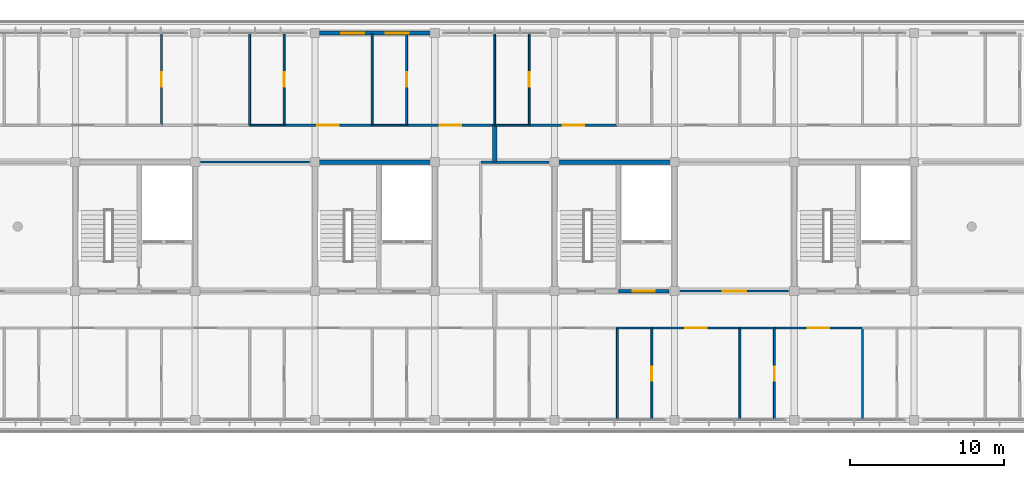
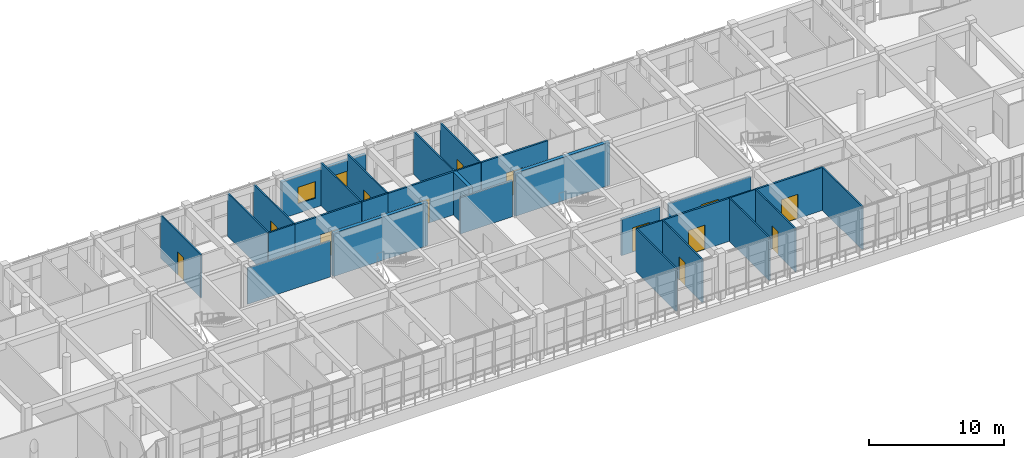
# One storey, part 49 of 56: 30 walls, 13 doors, 2 windows, 15 openings.
"""IFC4 building model written with IfcOpenShell, lengths in metres."""

from ifc_helpers import new_model, si_unit, direction, frame, frame_2d, origin, place, context, subcontext, project, spatial, rectangle, extrude, material, layer, layer_set, type_object, element, fill, save


model = new_model("IFC4")

# Units and contexts
model_context = context("Model", 3, precision=1e-05, world=origin(), true_north=direction((0.0, 1.0)))
body_context = subcontext(model_context, "Body", "Model", "MODEL_VIEW")
ifc_project = project(units=[si_unit("LENGTHUNIT", "METRE"), si_unit("AREAUNIT", "SQUARE_METRE"), si_unit("VOLUMEUNIT", "CUBIC_METRE"), si_unit("PLANEANGLEUNIT", "RADIAN"), si_unit("MASSUNIT", "GRAM", prefix="KILO")], contexts=[model_context])

# Site, building, storey
site_placement = place(None, origin())
site = spatial("IfcSite", under=ifc_project, at=site_placement, CompositionType="ELEMENT")
building_placement = place(site_placement, origin())
building = spatial("IfcBuilding", under=site, at=building_placement, Name="Zizhar Promenade General Hospital", CompositionType="ELEMENT")
storey_placement = place(building_placement, frame((0.0, 0.0, 26.39990234375)))
storey = spatial("IfcBuildingStorey", under=building, at=storey_placement, Name="L06", CompositionType="ELEMENT", Elevation=26.39990234375)

# Wall, openings, windows
ifc_material_1 = material(Name="Precast concrete C40/50", Category="concrete")
ifc_layer_1 = layer(ifc_material_1, 0.260009765625)
ifc_layer_set_1 = layer_set([ifc_layer_1], Name="Precast concrete C40/50")
wall_type_1 = type_object("IfcWallType", Name="EW-PC-260", PredefinedType="STANDARD", material=ifc_layer_set_1)
wall_1_placement = place(storey_placement, frame((62.68994140625, 25.199951171875, 0.0), z_axis=(0.0, 0.0, 1.0), x_axis=(1.0, 0.0, 0.0)))
wall_1 = element("IfcWall", 1, at=wall_1_placement, inside=storey, type_object=wall_type_1, Name="Ward Precast Ribbon Pier L06-8-4", PredefinedType="STANDARD", context=body_context, shape_type="SweptSolid", body=[
    extrude(rectangle(XDim=7.219970703125, YDim=0.260009765625, at=frame_2d((3.60986328125, 0.0))), origin(), (0.0, 0.0, 1.0), 3.30517578125),
])
opening_1_placement = place(wall_1_placement, frame((1.40673828125, 0.0, 0.85009765625)))
opening_1 = element("IfcOpeningElement", 2, at=opening_1_placement, cuts=wall_1, Name="Opening W-04", PredefinedType="OPENING", context=body_context, shape_type="SweptSolid", body=[
    extrude(rectangle(XDim=1.5, YDim=1.5, at=frame_2d((0.75, 0.75))), frame((0.0, 0.14013671875, 0.0), z_axis=(0.0, -1.0, 0.0), x_axis=(1.0, 0.0, 0.0)), (0.0, 0.0, 1.0), 0.280029296875),
])
opening_2_placement = place(wall_1_placement, frame((4.313232421875, 0.0, 0.85009765625)))
opening_2 = element("IfcOpeningElement", 3, at=opening_2_placement, cuts=wall_1, Name="Opening W-04", PredefinedType="OPENING", context=body_context, shape_type="SweptSolid", body=[
    extrude(rectangle(XDim=1.5, YDim=1.5, at=frame_2d((0.75, 0.75))), frame((0.0, 0.14013671875, 0.0), z_axis=(0.0, -1.0, 0.0), x_axis=(1.0, 0.0, 0.0)), (0.0, 0.0, 1.0), 0.280029296875),
])
ifc_material_2 = material(Name="Anodised aluminium 6063-T6 and low-E glass", Category="aluminium")
window_type = type_object("IfcWindowType", Name="WIN-WARD-150x150", PartitioningType="SINGLE_PANEL", PredefinedType="WINDOW", material=ifc_material_2)
window_1_placement = place(opening_1_placement, origin())
window_1 = element("IfcWindow", 4, at=window_1_placement, inside=storey, type_object=window_type, Name="Ward Precast Ribbon Pier L06-8-4 Window 1", OverallHeight=1.5, OverallWidth=1.5, PartitioningType="SINGLE_PANEL", PredefinedType="WINDOW", context=body_context, shape_type="SweptSolid", body=[
    extrude(rectangle(XDim=1.5, YDim=1.5, at=frame_2d((0.75, 0.75))), frame((0.0, 0.030029296875, 0.0), z_axis=(0.0, -1.0, 0.0), x_axis=(1.0, 0.0, 0.0)), (0.0, 0.0, 1.0), 0.06005859375),
])
fill(opening_1, window_1)
window_2_placement = place(opening_2_placement, origin())
window_2 = element("IfcWindow", 5, at=window_2_placement, inside=storey, type_object=window_type, Name="Ward Precast Ribbon Pier L06-8-4 Window 2", OverallHeight=1.5, OverallWidth=1.5, PartitioningType="SINGLE_PANEL", PredefinedType="WINDOW", context=body_context, shape_type="SweptSolid", body=[
    extrude(rectangle(XDim=1.5, YDim=1.5, at=frame_2d((0.75, 0.75))), frame((0.0, 0.030029296875, 0.0), z_axis=(0.0, -1.0, 0.0), x_axis=(1.0, 0.0, 0.0)), (0.0, 0.0, 1.0), 0.06005859375),
])
fill(opening_2, window_2)

# Wall, opening, door
ifc_material_3 = material(Name="Clinical consultation partition")
ifc_layer_2 = layer(ifc_material_3, 0.14501953125)
ifc_layer_set_2 = layer_set([ifc_layer_2], Name="Clinical consultation partition")
wall_type_2 = type_object("IfcWallType", Name="IW-CLN-145", PredefinedType="PARTITIONING", material=ifc_layer_set_2)
wall_2_placement = place(storey_placement, frame((86.159912109375, 8.39990234375, 0.0), z_axis=(0.0, 0.0, 1.0), x_axis=(1.0, 0.0, 0.0)))
wall_2 = element("IfcWall", 6, at=wall_2_placement, inside=storey, type_object=wall_type_2, Name="Accessible Visitor Lounge and Clean Utility L06 S Partition", PredefinedType="PARTITIONING", context=body_context, shape_type="SweptSolid", body=[
    extrude(rectangle(XDim=7.080078125, YDim=0.14501953125, at=frame_2d((3.5400390625, 0.0))), origin(), (0.0, 0.0, 1.0), 3.27001953125),
])
opening_3_placement = place(wall_2_placement, frame((2.780029296875, 0.0, 0.0)))
opening_3 = element("IfcOpeningElement", 7, at=opening_3_placement, cuts=wall_2, Name="Opening D-28", PredefinedType="OPENING", context=body_context, shape_type="SweptSolid", body=[
    extrude(rectangle(XDim=1.52001953125, YDim=2.199951171875, at=frame_2d((0.760009765625, 1.10009765625))), frame((0.0, 0.08251953125, 0.0), z_axis=(0.0, -1.0, 0.0), x_axis=(1.0, 0.0, 0.0)), (0.0, 0.0, 1.0), 0.1650390625),
])
ifc_material_4 = material(Name="Fire-rated timber glazed lounge pair", Category="wood")
door_type_1 = type_object("IfcDoorType", Name="DR-LOUNGE-152x220", OperationType="DOUBLE_DOOR_SINGLE_SWING", PredefinedType="DOOR", material=ifc_material_4)
door_1_placement = place(opening_3_placement, origin())
door_1 = element("IfcDoor", 8, at=door_1_placement, inside=storey, type_object=door_type_1, Name="Accessible Visitor Lounge and Clean Utility L06 Door", OperationType="DOUBLE_DOOR_SINGLE_SWING", OverallHeight=2.199951171875, OverallWidth=1.52001953125, PredefinedType="DOOR", context=body_context, shape_type="SweptSolid", body=[
    extrude(rectangle(XDim=1.52001953125, YDim=2.199951171875, at=frame_2d((0.760009765625, 1.10009765625))), frame((0.0, 0.02490234375, 0.0), z_axis=(0.0, -1.0, 0.0), x_axis=(1.0, 0.0, 0.0)), (0.0, 0.0, 1.0), 0.050048828125),
])
fill(opening_3, door_1)

# Wall
ifc_material_5 = material(Name="Concrete C35/45", Category="concrete")
ifc_layer_3 = layer(ifc_material_5, 0.284912109375)
ifc_layer_set_3 = layer_set([ifc_layer_3], Name="Concrete C35/45")
wall_type_3 = type_object("IfcWallType", Name="IW-COMP-285", PredefinedType="STANDARD", material=ifc_layer_set_3)
wall_3_placement = place(storey_placement, frame((74.10009765625, 16.800048828125, 0.0), z_axis=(0.0, 0.0, 1.0), x_axis=(0.0, 1.0, 0.0)))
element("IfcWall", 9, at=wall_3_placement, inside=storey, type_object=wall_type_3, Name="Horizontal Fire Compartment Wall North (L06)", PredefinedType="STANDARD", context=body_context, shape_type="SweptSolid", body=[
    extrude(rectangle(XDim=2.39990234375, YDim=0.284912109375, at=frame_2d((1.199951171875, 0.0))), origin(), (0.0, 0.0, 1.0), 3.900146484375),
])

# Wall, opening, door
ifc_material_6 = material(Name="Concrete C35/45", Category="concrete")
ifc_layer_4 = layer(ifc_material_6, 0.215087890625)
ifc_layer_set_4 = layer_set([ifc_layer_4], Name="Concrete C35/45")
wall_type_4 = type_object("IfcWallType", Name="IW-LOBBY-215", PredefinedType="STANDARD", material=ifc_layer_set_4)
wall_4_placement = place(storey_placement, frame((82.14990234375, 8.39990234375, 0.0), z_axis=(0.0, 0.0, 1.0), x_axis=(1.0, 0.0, 0.0)))
wall_4 = element("IfcWall", 10, at=wall_4_placement, inside=storey, type_object=wall_type_4, Name="Core C4 Lift Lobby South Fire Wall (L06)", PredefinedType="STANDARD", context=body_context, shape_type="SweptSolid", body=[
    extrude(rectangle(XDim=3.2900390625, YDim=0.215087890625, at=frame_2d((1.64501953125, 0.0))), origin(), (0.0, 0.0, 1.0), 3.27001953125),
])
opening_4_placement = place(wall_4_placement, frame((0.925048828125, 0.0, 0.0)))
opening_4 = element("IfcOpeningElement", 11, at=opening_4_placement, cuts=wall_4, Name="Opening D-23", PredefinedType="OPENING", context=body_context, shape_type="SweptSolid", body=[
    extrude(rectangle(XDim=1.43994140625, YDim=2.199951171875, at=frame_2d((0.719970703125, 1.10009765625))), frame((0.0, 0.11767578125, 0.0), z_axis=(0.0, -1.0, 0.0), x_axis=(1.0, 0.0, 0.0)), (0.0, 0.0, 1.0), 0.235107421875),
])
ifc_material_7 = material(Name="Fire-rated timber lift lobby pair", Category="wood")
door_type_2 = type_object("IfcDoorType", Name="DR-LOBBY-PR-144x220", OperationType="DOUBLE_DOOR_SINGLE_SWING", PredefinedType="DOOR", material=ifc_material_7)
door_2_placement = place(opening_4_placement, origin())
door_2 = element("IfcDoor", 12, at=door_2_placement, inside=storey, type_object=door_type_2, Name="Core C4 Protected Lift Lobby Door (L06)", OperationType="DOUBLE_DOOR_SINGLE_SWING", OverallHeight=2.199951171875, OverallWidth=1.43994140625, PredefinedType="DOOR", context=body_context, shape_type="SweptSolid", body=[
    extrude(rectangle(XDim=1.43994140625, YDim=2.199951171875, at=frame_2d((0.719970703125, 1.10009765625))), frame((0.0, 0.02490234375, 0.0), z_axis=(0.0, -1.0, 0.0), x_axis=(1.0, 0.0, 0.0)), (0.0, 0.0, 1.0), 0.050048828125),
])
fill(opening_4, door_2)

# Wall
ifc_material_8 = material(Name="Clean utility gypsum partition")
ifc_layer_5 = layer(ifc_material_8, 0.114990234375)
ifc_layer_set_5 = layer_set([ifc_layer_5], Name="Clean utility gypsum partition")
wall_type_5 = type_object("IfcWallType", Name="IW-STR-115", PredefinedType="PARTITIONING", material=ifc_layer_set_5)
wall_5_placement = place(storey_placement, frame((54.9599609375, 16.800048828125, 0.0), z_axis=(0.0, 0.0, 1.0), x_axis=(1.0, 0.0, 0.0)))
element("IfcWall", 13, at=wall_5_placement, inside=storey, type_object=wall_type_5, Name="Nurse Station and Medication Room L06 N Partition", PredefinedType="PARTITIONING", context=body_context, shape_type="SweptSolid", body=[
    extrude(rectangle(XDim=7.080078125, YDim=0.114990234375, at=frame_2d((3.5400390625, 0.0))), origin(), (0.0, 0.0, 1.0), 3.27001953125),
])

# Wall, opening, door
ifc_material_9 = material(Name="Acoustic patient bedroom partition")
ifc_layer_6 = layer(ifc_material_9, 0.155029296875)
ifc_layer_set_6 = layer_set([ifc_layer_6], Name="Acoustic patient bedroom partition")
wall_type_6 = type_object("IfcWallType", Name="IW-WARD-155", PredefinedType="PARTITIONING", material=ifc_layer_set_6)
wall_6_placement = place(storey_placement, frame((60.39990234375, 19.199951171875, 0.0), z_axis=(0.0, 0.0, 1.0), x_axis=(1.0, 0.0, 0.0)))
wall_6 = element("IfcWall", 14, at=wall_6_placement, inside=storey, type_object=wall_type_6, Name="Orthopaedic Inpatient Ward L06-N04 S Partition", PredefinedType="PARTITIONING", context=body_context, shape_type="SweptSolid", body=[
    extrude(rectangle(XDim=5.710205078125, YDim=0.155029296875, at=frame_2d((2.85498046875, 0.0))), origin(), (0.0, 0.0, 1.0), 3.900146484375),
])
opening_5_placement = place(wall_6_placement, frame((2.155029296875, 0.0, 0.0)))
opening_5 = element("IfcOpeningElement", 15, at=opening_5_placement, cuts=wall_6, Name="Opening D-06", PredefinedType="OPENING", context=body_context, shape_type="SweptSolid", body=[
    extrude(rectangle(XDim=1.39990234375, YDim=2.199951171875, at=frame_2d((0.699951171875, 1.10009765625))), frame((0.0, 0.08740234375, 0.0), z_axis=(0.0, -1.0, 0.0), x_axis=(1.0, 0.0, 0.0)), (0.0, 0.0, 1.0), 0.175048828125),
])
ifc_material_10 = material(Name="Fire-rated timber hospital bed leaf", Category="wood")
door_type_3 = type_object("IfcDoorType", Name="DR-BED-WARD-140x220", OperationType="NOTDEFINED", PredefinedType="DOOR", material=ifc_material_10)
door_3_placement = place(opening_5_placement, origin())
door_3 = element("IfcDoor", 16, at=door_3_placement, inside=storey, type_object=door_type_3, Name="Orthopaedic Inpatient Ward L06-N04 Door", OperationType="SINGLE_SWING_LEFT", OverallHeight=2.199951171875, OverallWidth=1.39990234375, PredefinedType="DOOR", context=body_context, shape_type="SweptSolid", body=[
    extrude(rectangle(XDim=1.39990234375, YDim=2.199951171875, at=frame_2d((0.699951171875, 1.10009765625))), frame((0.0, 0.02490234375, 0.0), z_axis=(0.0, -1.0, 0.0), x_axis=(1.0, 0.0, 0.0)), (0.0, 0.0, 1.0), 0.050048828125),
])
fill(opening_5, door_3)

wall_7_placement = place(storey_placement, frame((68.3798828125, 19.199951171875, 0.0), z_axis=(0.0, 0.0, 1.0), x_axis=(1.0, 0.0, 0.0)))
wall_7 = element("IfcWall", 17, at=wall_7_placement, inside=storey, type_object=wall_type_6, Name="Surgical Recovery Inpatient Ward L06-N05 S Partition", PredefinedType="PARTITIONING", context=body_context, shape_type="SweptSolid", body=[
    extrude(rectangle(XDim=5.710205078125, YDim=0.155029296875, at=frame_2d((2.85498046875, 0.0))), origin(), (0.0, 0.0, 1.0), 3.900146484375),
])
opening_6_placement = place(wall_7_placement, frame((2.155029296875, 0.0, 0.0)))
opening_6 = element("IfcOpeningElement", 18, at=opening_6_placement, cuts=wall_7, Name="Opening D-06", PredefinedType="OPENING", context=body_context, shape_type="SweptSolid", body=[
    extrude(rectangle(XDim=1.39990234375, YDim=2.199951171875, at=frame_2d((0.699951171875, 1.10009765625))), frame((0.0, 0.08740234375, 0.0), z_axis=(0.0, -1.0, 0.0), x_axis=(1.0, 0.0, 0.0)), (0.0, 0.0, 1.0), 0.175048828125),
])
door_4_placement = place(opening_6_placement, origin())
door_4 = element("IfcDoor", 19, at=door_4_placement, inside=storey, type_object=door_type_3, Name="Surgical Recovery Inpatient Ward L06-N05 Door", OperationType="SINGLE_SWING_LEFT", OverallHeight=2.199951171875, OverallWidth=1.39990234375, PredefinedType="DOOR", context=body_context, shape_type="SweptSolid", body=[
    extrude(rectangle(XDim=1.39990234375, YDim=2.199951171875, at=frame_2d((0.699951171875, 1.10009765625))), frame((0.0, 0.02490234375, 0.0), z_axis=(0.0, -1.0, 0.0), x_axis=(1.0, 0.0, 0.0)), (0.0, 0.0, 1.0), 0.050048828125),
])
fill(opening_6, door_4)

wall_8_placement = place(storey_placement, frame((76.360107421875, 19.199951171875, 0.0), z_axis=(0.0, 0.0, 1.0), x_axis=(1.0, 0.0, 0.0)))
wall_8 = element("IfcWall", 20, at=wall_8_placement, inside=storey, type_object=wall_type_6, Name="Orthopaedic Inpatient Ward L06-N06 S Partition", PredefinedType="PARTITIONING", context=body_context, shape_type="SweptSolid", body=[
    extrude(rectangle(XDim=5.7099609375, YDim=0.155029296875, at=frame_2d((2.85498046875, 0.0))), origin(), (0.0, 0.0, 1.0), 3.900146484375),
])
opening_7_placement = place(wall_8_placement, frame((2.155029296875, 0.0, 0.0)))
opening_7 = element("IfcOpeningElement", 21, at=opening_7_placement, cuts=wall_8, Name="Opening D-06", PredefinedType="OPENING", context=body_context, shape_type="SweptSolid", body=[
    extrude(rectangle(XDim=1.39990234375, YDim=2.199951171875, at=frame_2d((0.699951171875, 1.10009765625))), frame((0.0, 0.08740234375, 0.0), z_axis=(0.0, -1.0, 0.0), x_axis=(1.0, 0.0, 0.0)), (0.0, 0.0, 1.0), 0.175048828125),
])
door_5_placement = place(opening_7_placement, origin())
door_5 = element("IfcDoor", 22, at=door_5_placement, inside=storey, type_object=door_type_3, Name="Orthopaedic Inpatient Ward L06-N06 Door", OperationType="SINGLE_SWING_LEFT", OverallHeight=2.199951171875, OverallWidth=1.39990234375, PredefinedType="DOOR", context=body_context, shape_type="SweptSolid", body=[
    extrude(rectangle(XDim=1.39990234375, YDim=2.199951171875, at=frame_2d((0.699951171875, 1.10009765625))), frame((0.0, 0.02490234375, 0.0), z_axis=(0.0, -1.0, 0.0), x_axis=(1.0, 0.0, 0.0)), (0.0, 0.0, 1.0), 0.050048828125),
])
fill(opening_7, door_5)

wall_9_placement = place(storey_placement, frame((84.340087890625, 6.0, 0.0), z_axis=(0.0, 0.0, 1.0), x_axis=(1.0, 0.0, 0.0)))
wall_9 = element("IfcWall", 23, at=wall_9_placement, inside=storey, type_object=wall_type_6, Name="Surgical Recovery Inpatient Ward L06-S07 N Partition", PredefinedType="PARTITIONING", context=body_context, shape_type="SweptSolid", body=[
    extrude(rectangle(XDim=5.7099609375, YDim=0.155029296875, at=frame_2d((2.85498046875, 0.0))), origin(), (0.0, 0.0, 1.0), 3.900146484375),
])
opening_8_placement = place(wall_9_placement, frame((2.155029296875, 0.0, 0.0)))
opening_8 = element("IfcOpeningElement", 24, at=opening_8_placement, cuts=wall_9, Name="Opening D-06", PredefinedType="OPENING", context=body_context, shape_type="SweptSolid", body=[
    extrude(rectangle(XDim=1.39990234375, YDim=2.199951171875, at=frame_2d((0.699951171875, 1.10009765625))), frame((0.0, 0.08740234375, 0.0), z_axis=(0.0, -1.0, 0.0), x_axis=(1.0, 0.0, 0.0)), (0.0, 0.0, 1.0), 0.175048828125),
])
door_6_placement = place(opening_8_placement, origin())
door_6 = element("IfcDoor", 25, at=door_6_placement, inside=storey, type_object=door_type_3, Name="Surgical Recovery Inpatient Ward L06-S07 Door", OperationType="SINGLE_SWING_RIGHT", OverallHeight=2.199951171875, OverallWidth=1.39990234375, PredefinedType="DOOR", context=body_context, shape_type="SweptSolid", body=[
    extrude(rectangle(XDim=1.39990234375, YDim=2.199951171875, at=frame_2d((0.699951171875, 1.10009765625))), frame((0.0, 0.02490234375, 0.0), z_axis=(0.0, -1.0, 0.0), x_axis=(1.0, 0.0, 0.0)), (0.0, 0.0, 1.0), 0.050048828125),
])
fill(opening_8, door_6)

wall_10_placement = place(storey_placement, frame((92.320068359375, 6.0, 0.0), z_axis=(0.0, 0.0, 1.0), x_axis=(1.0, 0.0, 0.0)))
wall_10 = element("IfcWall", 26, at=wall_10_placement, inside=storey, type_object=wall_type_6, Name="Orthopaedic Inpatient Ward L06-S08 N Partition", PredefinedType="PARTITIONING", context=body_context, shape_type="SweptSolid", body=[
    extrude(rectangle(XDim=5.7099609375, YDim=0.155029296875, at=frame_2d((2.85498046875, 0.0))), origin(), (0.0, 0.0, 1.0), 3.900146484375),
])
opening_9_placement = place(wall_10_placement, frame((2.155029296875, 0.0, 0.0)))
opening_9 = element("IfcOpeningElement", 27, at=opening_9_placement, cuts=wall_10, Name="Opening D-06", PredefinedType="OPENING", context=body_context, shape_type="SweptSolid", body=[
    extrude(rectangle(XDim=1.39990234375, YDim=2.199951171875, at=frame_2d((0.699951171875, 1.10009765625))), frame((0.0, 0.08740234375, 0.0), z_axis=(0.0, -1.0, 0.0), x_axis=(1.0, 0.0, 0.0)), (0.0, 0.0, 1.0), 0.175048828125),
])
door_7_placement = place(opening_9_placement, origin())
door_7 = element("IfcDoor", 28, at=door_7_placement, inside=storey, type_object=door_type_3, Name="Orthopaedic Inpatient Ward L06-S08 Door", OperationType="SINGLE_SWING_RIGHT", OverallHeight=2.199951171875, OverallWidth=1.39990234375, PredefinedType="DOOR", context=body_context, shape_type="SweptSolid", body=[
    extrude(rectangle(XDim=1.39990234375, YDim=2.199951171875, at=frame_2d((0.699951171875, 1.10009765625))), frame((0.0, 0.02490234375, 0.0), z_axis=(0.0, -1.0, 0.0), x_axis=(1.0, 0.0, 0.0)), (0.0, 0.0, 1.0), 0.050048828125),
])
fill(opening_9, door_7)

# Wall
wall_11_placement = place(storey_placement, frame((73.199951171875, 16.800048828125, 0.0), z_axis=(0.0, 0.0, 1.0), x_axis=(1.0, 0.0, 0.0)))
element("IfcWall", 29, at=wall_11_placement, inside=storey, type_object=wall_type_6, Name="Ward Rehabilitation Physiotherapy Gym N Partition", PredefinedType="PARTITIONING", context=body_context, shape_type="SweptSolid", body=[
    extrude(rectangle(XDim=4.43994140625, YDim=0.155029296875, at=frame_2d((2.219970703125, 0.0))), origin(), (0.0, 0.0, 1.0), 3.27001953125),
])

# Wall, opening, door
ifc_material_11 = material(Name="Moisture-resistant en-suite wet partition")
ifc_layer_7 = layer(ifc_material_11, 0.125)
ifc_layer_set_7 = layer_set([ifc_layer_7], Name="Moisture-resistant en-suite wet partition")
wall_type_7 = type_object("IfcWallType", Name="IW-WET-125", PredefinedType="PARTITIONING", material=ifc_layer_set_7)
wall_12_placement = place(storey_placement, frame((52.409912109375, 19.199951171875, 0.0), z_axis=(0.0, 0.0, 1.0), x_axis=(0.0, 1.0, 0.0)))
wall_12 = element("IfcWall", 30, at=wall_12_placement, inside=storey, type_object=wall_type_7, Name="En-Suite Patient Bathroom L06-N03 E Partition", PredefinedType="PARTITIONING", context=body_context, shape_type="SweptSolid", body=[
    extrude(rectangle(XDim=5.955078125, YDim=0.125, at=frame_2d((2.9775390625, 0.0))), origin(), (0.0, 0.0, 1.0), 3.900146484375),
])
opening_10_placement = place(wall_12_placement, frame((2.517578125, 0.0, 0.0)))
opening_10 = element("IfcOpeningElement", 31, at=opening_10_placement, cuts=wall_12, Name="Opening D-18", PredefinedType="OPENING", context=body_context, shape_type="SweptSolid", body=[
    extrude(rectangle(XDim=0.919921875, YDim=2.10009765625, at=frame_2d((0.4599609375, 1.050048828125))), frame((0.0, 0.072509765625, 0.0), z_axis=(0.0, -1.0, 0.0), x_axis=(1.0, 0.0, 0.0)), (0.0, 0.0, 1.0), 0.14501953125),
])
ifc_material_12 = material(Name="Moisture-resistant timber en-suite leaf", Category="wood")
door_type_4 = type_object("IfcDoorType", Name="DR-ENS-STD-092x210", OperationType="NOTDEFINED", PredefinedType="DOOR", material=ifc_material_12)
door_8_placement = place(opening_10_placement, origin())
door_8 = element("IfcDoor", 32, at=door_8_placement, inside=storey, type_object=door_type_4, Name="En-Suite Patient Bathroom L06-N03 Door", OperationType="SINGLE_SWING_LEFT", OverallHeight=2.10009765625, OverallWidth=0.919921875, PredefinedType="DOOR", context=body_context, shape_type="SweptSolid", body=[
    extrude(rectangle(XDim=0.919921875, YDim=2.10009765625, at=frame_2d((0.4599609375, 1.050048828125))), frame((0.0, 0.02490234375, 0.0), z_axis=(0.0, -1.0, 0.0), x_axis=(1.0, 0.0, 0.0)), (0.0, 0.0, 1.0), 0.050048828125),
])
fill(opening_10, door_8)

# Walls
wall_13_placement = place(storey_placement, frame((58.139892578125, 19.199951171875, 0.0), z_axis=(0.0, 0.0, 1.0), x_axis=(1.0, 0.0, 0.0)))
element("IfcWall", 33, at=wall_13_placement, inside=storey, type_object=wall_type_7, Name="En-Suite Patient Bathroom L06-N04 S Partition", PredefinedType="PARTITIONING", context=body_context, shape_type="SweptSolid", body=[
    extrude(rectangle(XDim=2.25, YDim=0.125, at=frame_2d((1.125, 0.0))), origin(), (0.0, 0.0, 1.0), 3.900146484375),
])
wall_14_placement = place(storey_placement, frame((58.139892578125, 19.199951171875, 0.0), z_axis=(0.0, 0.0, 1.0), x_axis=(0.0, 1.0, 0.0)))
element("IfcWall", 34, at=wall_14_placement, inside=storey, type_object=wall_type_7, Name="En-Suite Patient Bathroom L06-N04 W Partition", PredefinedType="PARTITIONING", context=body_context, shape_type="SweptSolid", body=[
    extrude(rectangle(XDim=5.955078125, YDim=0.125, at=frame_2d((2.9775390625, 0.0))), origin(), (0.0, 0.0, 1.0), 3.900146484375),
])

# Wall, opening, door
wall_15_placement = place(storey_placement, frame((60.389892578125, 19.199951171875, 0.0), z_axis=(0.0, 0.0, 1.0), x_axis=(0.0, 1.0, 0.0)))
wall_15 = element("IfcWall", 35, at=wall_15_placement, inside=storey, type_object=wall_type_7, Name="En-Suite Patient Bathroom L06-N04 E Partition", PredefinedType="PARTITIONING", context=body_context, shape_type="SweptSolid", body=[
    extrude(rectangle(XDim=5.955078125, YDim=0.125, at=frame_2d((2.9775390625, 0.0))), origin(), (0.0, 0.0, 1.0), 3.900146484375),
])
opening_11_placement = place(wall_15_placement, frame((2.517578125, 0.0, 0.0)))
opening_11 = element("IfcOpeningElement", 36, at=opening_11_placement, cuts=wall_15, Name="Opening D-18", PredefinedType="OPENING", context=body_context, shape_type="SweptSolid", body=[
    extrude(rectangle(XDim=0.919921875, YDim=2.10009765625, at=frame_2d((0.4599609375, 1.050048828125))), frame((0.0, 0.072509765625, 0.0), z_axis=(0.0, -1.0, 0.0), x_axis=(1.0, 0.0, 0.0)), (0.0, 0.0, 1.0), 0.14501953125),
])
door_9_placement = place(opening_11_placement, origin())
door_9 = element("IfcDoor", 37, at=door_9_placement, inside=storey, type_object=door_type_4, Name="En-Suite Patient Bathroom L06-N04 Door", OperationType="SINGLE_SWING_LEFT", OverallHeight=2.10009765625, OverallWidth=0.919921875, PredefinedType="DOOR", context=body_context, shape_type="SweptSolid", body=[
    extrude(rectangle(XDim=0.919921875, YDim=2.10009765625, at=frame_2d((0.4599609375, 1.050048828125))), frame((0.0, 0.02490234375, 0.0), z_axis=(0.0, -1.0, 0.0), x_axis=(1.0, 0.0, 0.0)), (0.0, 0.0, 1.0), 0.050048828125),
])
fill(opening_11, door_9)

# Walls
wall_16_placement = place(storey_placement, frame((66.1201171875, 19.199951171875, 0.0), z_axis=(0.0, 0.0, 1.0), x_axis=(1.0, 0.0, 0.0)))
element("IfcWall", 38, at=wall_16_placement, inside=storey, type_object=wall_type_7, Name="En-Suite Patient Bathroom L06-N05 S Partition", PredefinedType="PARTITIONING", context=body_context, shape_type="SweptSolid", body=[
    extrude(rectangle(XDim=2.25, YDim=0.125, at=frame_2d((1.125, 0.0))), origin(), (0.0, 0.0, 1.0), 3.900146484375),
])
wall_17_placement = place(storey_placement, frame((66.1201171875, 19.199951171875, 0.0), z_axis=(0.0, 0.0, 1.0), x_axis=(0.0, 1.0, 0.0)))
element("IfcWall", 39, at=wall_17_placement, inside=storey, type_object=wall_type_7, Name="En-Suite Patient Bathroom L06-N05 W Partition", PredefinedType="PARTITIONING", context=body_context, shape_type="SweptSolid", body=[
    extrude(rectangle(XDim=5.955078125, YDim=0.125, at=frame_2d((2.9775390625, 0.0))), origin(), (0.0, 0.0, 1.0), 3.900146484375),
])

# Wall, opening, door
wall_18_placement = place(storey_placement, frame((68.3701171875, 19.199951171875, 0.0), z_axis=(0.0, 0.0, 1.0), x_axis=(0.0, 1.0, 0.0)))
wall_18 = element("IfcWall", 40, at=wall_18_placement, inside=storey, type_object=wall_type_7, Name="En-Suite Patient Bathroom L06-N05 E Partition", PredefinedType="PARTITIONING", context=body_context, shape_type="SweptSolid", body=[
    extrude(rectangle(XDim=5.955078125, YDim=0.125, at=frame_2d((2.9775390625, 0.0))), origin(), (0.0, 0.0, 1.0), 3.900146484375),
])
opening_12_placement = place(wall_18_placement, frame((2.517578125, 0.0, 0.0)))
opening_12 = element("IfcOpeningElement", 41, at=opening_12_placement, cuts=wall_18, Name="Opening D-18", PredefinedType="OPENING", context=body_context, shape_type="SweptSolid", body=[
    extrude(rectangle(XDim=0.919921875, YDim=2.10009765625, at=frame_2d((0.4599609375, 1.050048828125))), frame((0.0, 0.072509765625, 0.0), z_axis=(0.0, -1.0, 0.0), x_axis=(1.0, 0.0, 0.0)), (0.0, 0.0, 1.0), 0.14501953125),
])
door_10_placement = place(opening_12_placement, origin())
door_10 = element("IfcDoor", 42, at=door_10_placement, inside=storey, type_object=door_type_4, Name="En-Suite Patient Bathroom L06-N05 Door", OperationType="SINGLE_SWING_LEFT", OverallHeight=2.10009765625, OverallWidth=0.919921875, PredefinedType="DOOR", context=body_context, shape_type="SweptSolid", body=[
    extrude(rectangle(XDim=0.919921875, YDim=2.10009765625, at=frame_2d((0.4599609375, 1.050048828125))), frame((0.0, 0.02490234375, 0.0), z_axis=(0.0, -1.0, 0.0), x_axis=(1.0, 0.0, 0.0)), (0.0, 0.0, 1.0), 0.050048828125),
])
fill(opening_12, door_10)

# Walls
wall_19_placement = place(storey_placement, frame((74.10009765625, 19.199951171875, 0.0), z_axis=(0.0, 0.0, 1.0), x_axis=(1.0, 0.0, 0.0)))
element("IfcWall", 43, at=wall_19_placement, inside=storey, type_object=wall_type_7, Name="En-Suite Patient Bathroom L06-N06 S Partition", PredefinedType="PARTITIONING", context=body_context, shape_type="SweptSolid", body=[
    extrude(rectangle(XDim=2.25, YDim=0.125, at=frame_2d((1.125, 0.0))), origin(), (0.0, 0.0, 1.0), 3.900146484375),
])
wall_20_placement = place(storey_placement, frame((74.10009765625, 19.199951171875, 0.0), z_axis=(0.0, 0.0, 1.0), x_axis=(0.0, 1.0, 0.0)))
element("IfcWall", 44, at=wall_20_placement, inside=storey, type_object=wall_type_7, Name="En-Suite Patient Bathroom L06-N06 W Partition", PredefinedType="PARTITIONING", context=body_context, shape_type="SweptSolid", body=[
    extrude(rectangle(XDim=5.955078125, YDim=0.125, at=frame_2d((2.9775390625, 0.0))), origin(), (0.0, 0.0, 1.0), 3.900146484375),
])

# Wall, opening, door
wall_21_placement = place(storey_placement, frame((76.35009765625, 19.199951171875, 0.0), z_axis=(0.0, 0.0, 1.0), x_axis=(0.0, 1.0, 0.0)))
wall_21 = element("IfcWall", 45, at=wall_21_placement, inside=storey, type_object=wall_type_7, Name="En-Suite Patient Bathroom L06-N06 E Partition", PredefinedType="PARTITIONING", context=body_context, shape_type="SweptSolid", body=[
    extrude(rectangle(XDim=5.955078125, YDim=0.125, at=frame_2d((2.9775390625, 0.0))), origin(), (0.0, 0.0, 1.0), 3.900146484375),
])
opening_13_placement = place(wall_21_placement, frame((2.517578125, 0.0, 0.0)))
opening_13 = element("IfcOpeningElement", 46, at=opening_13_placement, cuts=wall_21, Name="Opening D-18", PredefinedType="OPENING", context=body_context, shape_type="SweptSolid", body=[
    extrude(rectangle(XDim=0.919921875, YDim=2.10009765625, at=frame_2d((0.4599609375, 1.050048828125))), frame((0.0, 0.072509765625, 0.0), z_axis=(0.0, -1.0, 0.0), x_axis=(1.0, 0.0, 0.0)), (0.0, 0.0, 1.0), 0.14501953125),
])
door_11_placement = place(opening_13_placement, origin())
door_11 = element("IfcDoor", 47, at=door_11_placement, inside=storey, type_object=door_type_4, Name="En-Suite Patient Bathroom L06-N06 Door", OperationType="SINGLE_SWING_LEFT", OverallHeight=2.10009765625, OverallWidth=0.919921875, PredefinedType="DOOR", context=body_context, shape_type="SweptSolid", body=[
    extrude(rectangle(XDim=0.919921875, YDim=2.10009765625, at=frame_2d((0.4599609375, 1.050048828125))), frame((0.0, 0.02490234375, 0.0), z_axis=(0.0, -1.0, 0.0), x_axis=(1.0, 0.0, 0.0)), (0.0, 0.0, 1.0), 0.050048828125),
])
fill(opening_13, door_11)

# Walls
wall_22_placement = place(storey_placement, frame((82.080078125, 6.0, 0.0), z_axis=(0.0, 0.0, 1.0), x_axis=(1.0, 0.0, 0.0)))
element("IfcWall", 48, at=wall_22_placement, inside=storey, type_object=wall_type_7, Name="En-Suite Patient Bathroom L06-S07 N Partition", PredefinedType="PARTITIONING", context=body_context, shape_type="SweptSolid", body=[
    extrude(rectangle(XDim=2.25, YDim=0.125, at=frame_2d((1.125, 0.0))), origin(), (0.0, 0.0, 1.0), 3.900146484375),
])
wall_23_placement = place(storey_placement, frame((82.080078125, 0.044921875, 0.0), z_axis=(0.0, 0.0, 1.0), x_axis=(0.0, 1.0, 0.0)))
element("IfcWall", 49, at=wall_23_placement, inside=storey, type_object=wall_type_7, Name="En-Suite Patient Bathroom L06-S07 W Partition", PredefinedType="PARTITIONING", context=body_context, shape_type="SweptSolid", body=[
    extrude(rectangle(XDim=5.955078125, YDim=0.125, at=frame_2d((2.9775390625, 0.0))), origin(), (0.0, 0.0, 1.0), 3.900146484375),
])

# Wall, opening, door
wall_24_placement = place(storey_placement, frame((84.330078125, 0.044921875, 0.0), z_axis=(0.0, 0.0, 1.0), x_axis=(0.0, 1.0, 0.0)))
wall_24 = element("IfcWall", 50, at=wall_24_placement, inside=storey, type_object=wall_type_7, Name="En-Suite Patient Bathroom L06-S07 E Partition", PredefinedType="PARTITIONING", context=body_context, shape_type="SweptSolid", body=[
    extrude(rectangle(XDim=5.955078125, YDim=0.125, at=frame_2d((2.9775390625, 0.0))), origin(), (0.0, 0.0, 1.0), 3.900146484375),
])
opening_14_placement = place(wall_24_placement, frame((2.517578125, 0.0, 0.0)))
opening_14 = element("IfcOpeningElement", 51, at=opening_14_placement, cuts=wall_24, Name="Opening D-18", PredefinedType="OPENING", context=body_context, shape_type="SweptSolid", body=[
    extrude(rectangle(XDim=0.919921875, YDim=2.10009765625, at=frame_2d((0.4599609375, 1.050048828125))), frame((0.0, 0.072509765625, 0.0), z_axis=(0.0, -1.0, 0.0), x_axis=(1.0, 0.0, 0.0)), (0.0, 0.0, 1.0), 0.14501953125),
])
door_12_placement = place(opening_14_placement, origin())
door_12 = element("IfcDoor", 52, at=door_12_placement, inside=storey, type_object=door_type_4, Name="En-Suite Patient Bathroom L06-S07 Door", OperationType="SINGLE_SWING_RIGHT", OverallHeight=2.10009765625, OverallWidth=0.919921875, PredefinedType="DOOR", context=body_context, shape_type="SweptSolid", body=[
    extrude(rectangle(XDim=0.919921875, YDim=2.10009765625, at=frame_2d((0.4599609375, 1.050048828125))), frame((0.0, 0.02490234375, 0.0), z_axis=(0.0, -1.0, 0.0), x_axis=(1.0, 0.0, 0.0)), (0.0, 0.0, 1.0), 0.050048828125),
])
fill(opening_14, door_12)

# Walls
wall_25_placement = place(storey_placement, frame((90.06005859375, 6.0, 0.0), z_axis=(0.0, 0.0, 1.0), x_axis=(1.0, 0.0, 0.0)))
element("IfcWall", 53, at=wall_25_placement, inside=storey, type_object=wall_type_7, Name="En-Suite Patient Bathroom L06-S08 N Partition", PredefinedType="PARTITIONING", context=body_context, shape_type="SweptSolid", body=[
    extrude(rectangle(XDim=2.25, YDim=0.125, at=frame_2d((1.125, 0.0))), origin(), (0.0, 0.0, 1.0), 3.900146484375),
])
wall_26_placement = place(storey_placement, frame((90.06005859375, 0.044921875, 0.0), z_axis=(0.0, 0.0, 1.0), x_axis=(0.0, 1.0, 0.0)))
element("IfcWall", 54, at=wall_26_placement, inside=storey, type_object=wall_type_7, Name="En-Suite Patient Bathroom L06-S08 W Partition", PredefinedType="PARTITIONING", context=body_context, shape_type="SweptSolid", body=[
    extrude(rectangle(XDim=5.955078125, YDim=0.125, at=frame_2d((2.9775390625, 0.0))), origin(), (0.0, 0.0, 1.0), 3.900146484375),
])

# Wall, opening, door
wall_27_placement = place(storey_placement, frame((92.31005859375, 0.044921875, 0.0), z_axis=(0.0, 0.0, 1.0), x_axis=(0.0, 1.0, 0.0)))
wall_27 = element("IfcWall", 55, at=wall_27_placement, inside=storey, type_object=wall_type_7, Name="En-Suite Patient Bathroom L06-S08 E Partition", PredefinedType="PARTITIONING", context=body_context, shape_type="SweptSolid", body=[
    extrude(rectangle(XDim=5.955078125, YDim=0.125, at=frame_2d((2.9775390625, 0.0))), origin(), (0.0, 0.0, 1.0), 3.900146484375),
])
opening_15_placement = place(wall_27_placement, frame((2.517578125, 0.0, 0.0)))
opening_15 = element("IfcOpeningElement", 56, at=opening_15_placement, cuts=wall_27, Name="Opening D-18", PredefinedType="OPENING", context=body_context, shape_type="SweptSolid", body=[
    extrude(rectangle(XDim=0.919921875, YDim=2.10009765625, at=frame_2d((0.4599609375, 1.050048828125))), frame((0.0, 0.072509765625, 0.0), z_axis=(0.0, -1.0, 0.0), x_axis=(1.0, 0.0, 0.0)), (0.0, 0.0, 1.0), 0.14501953125),
])
door_13_placement = place(opening_15_placement, origin())
door_13 = element("IfcDoor", 57, at=door_13_placement, inside=storey, type_object=door_type_4, Name="En-Suite Patient Bathroom L06-S08 Door", OperationType="SINGLE_SWING_RIGHT", OverallHeight=2.10009765625, OverallWidth=0.919921875, PredefinedType="DOOR", context=body_context, shape_type="SweptSolid", body=[
    extrude(rectangle(XDim=0.919921875, YDim=2.10009765625, at=frame_2d((0.4599609375, 1.050048828125))), frame((0.0, 0.02490234375, 0.0), z_axis=(0.0, -1.0, 0.0), x_axis=(1.0, 0.0, 0.0)), (0.0, 0.0, 1.0), 0.050048828125),
])
fill(opening_15, door_13)

# Walls
wall_28_placement = place(storey_placement, frame((98.0400390625, 0.044921875, 0.0), z_axis=(0.0, 0.0, 1.0), x_axis=(0.0, 1.0, 0.0)))
element("IfcWall", 58, at=wall_28_placement, inside=storey, type_object=wall_type_7, Name="En-Suite Patient Bathroom L06-S09 W Partition", PredefinedType="PARTITIONING", context=body_context, shape_type="SweptSolid", body=[
    extrude(rectangle(XDim=5.955078125, YDim=0.125, at=frame_2d((2.9775390625, 0.0))), origin(), (0.0, 0.0, 1.0), 3.900146484375),
])
ifc_material_13 = material(Name="Concrete C40/50", Category="concrete")
ifc_layer_8 = layer(ifc_material_13, 0.300048828125)
ifc_layer_set_8 = layer_set([ifc_layer_8], Name="Concrete C40/50")
wall_type_8 = type_object("IfcWallType", Name="WL-CORE-300", PredefinedType="SHEAR", material=ifc_layer_set_8)
wall_29_placement = place(storey_placement, frame((62.25, 16.800048828125, 0.0), z_axis=(0.0, 0.0, 1.0), x_axis=(1.0, 0.0, 0.0)))
element("IfcWall", 59, at=wall_29_placement, inside=storey, type_object=wall_type_8, Name="Core C3 North Shear Wall L06", PredefinedType="SHEAR", context=body_context, shape_type="SweptSolid", body=[
    extrude(rectangle(XDim=8.10009765625, YDim=0.300048828125, at=frame_2d((4.050048828125, 0.0))), origin(), (0.0, 0.0, 1.0), 3.920166015625),
])
wall_30_placement = place(storey_placement, frame((77.85009765625, 16.800048828125, 0.0), z_axis=(0.0, 0.0, 1.0), x_axis=(1.0, 0.0, 0.0)))
element("IfcWall", 60, at=wall_30_placement, inside=storey, type_object=wall_type_8, Name="Core C4 North Shear Wall L06", PredefinedType="SHEAR", context=body_context, shape_type="SweptSolid", body=[
    extrude(rectangle(XDim=8.099853515625, YDim=0.300048828125, at=frame_2d((4.0498046875, 0.0))), origin(), (0.0, 0.0, 1.0), 3.920166015625),
])

save(model, "model.ifc")
